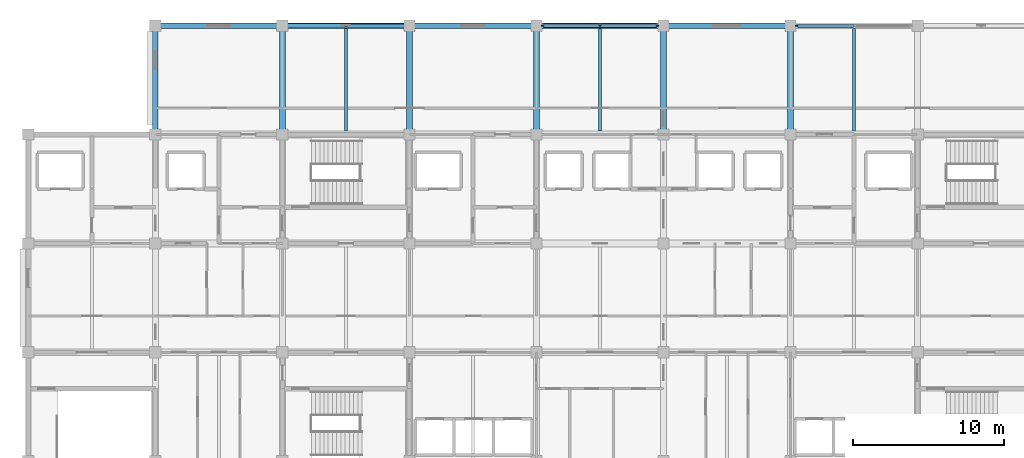
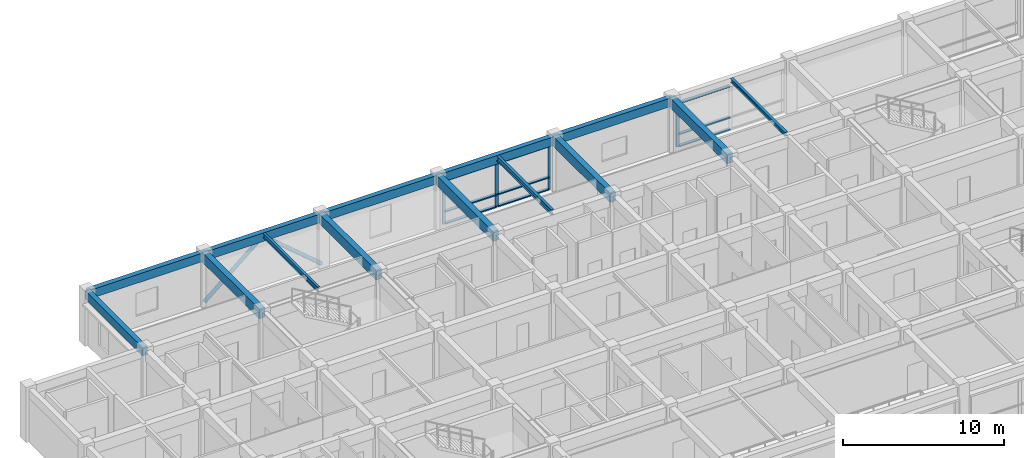
# One storey, part 5 of 23: 15 members, 14 beams, 2 elements without a shape of their own.
"""IFC4 building model written with IfcOpenShell, lengths in metres."""

from ifc_helpers import new_model, si_unit, direction, frame, origin, origin_2d, place, context, subcontext, project, spatial, rectangle, hollow_circle, i_section, extrude, material, layer, layer_set, material_profile, profile_set, type_object, element, aggregate, save


model = new_model("IFC4")

# Units and contexts
model_context = context("Model", 3, precision=1e-05, world=origin(), true_north=direction((0.0, 1.0)))
body_context = subcontext(model_context, "Body", "Model", "MODEL_VIEW")
ifc_project = project(units=[si_unit("LENGTHUNIT", "METRE"), si_unit("AREAUNIT", "SQUARE_METRE"), si_unit("VOLUMEUNIT", "CUBIC_METRE"), si_unit("PLANEANGLEUNIT", "RADIAN"), si_unit("MASSUNIT", "GRAM", prefix="KILO")], contexts=[model_context])

# Site, building, storey
site_placement = place(None, origin())
site = spatial("IfcSite", under=ifc_project, at=site_placement, CompositionType="ELEMENT")
building_placement = place(site_placement, origin())
building = spatial("IfcBuilding", under=site, at=building_placement, Name="Chengyuan Square Courthouse", CompositionType="ELEMENT")
storey_placement = place(building_placement, frame((0.0, 0.0, 43.5)))
storey = spatial("IfcBuildingStorey", under=building, at=storey_placement, Name="L10", CompositionType="ELEMENT", Elevation=43.5)

# Beams
ifc_material_1 = material(Name="Concrete C40", Category="concrete")
ifc_material_profile_1 = material_profile(ifc_material_1, rectangle(XDim=0.39990234375, YDim=0.75, at=origin_2d()), Name="RC-BM-400x750")
ifc_profile_set_1 = profile_set([ifc_material_profile_1], Name="Concrete C40")
beam_type_1 = type_object("IfcBeamType", Name="BM-02", PredefinedType="USERDEFINED", material=ifc_profile_set_1)
for number, where, z_axis, x_axis, name in (
    (1, (58.800048828125, 108.0, 3.625), (0.0, 1.0, 0.0), (-1.0, 0.0, 0.0), "Girder BM-L10-4097"),
    (2, (67.199951171875, 108.0, 3.625), (0.0, 1.0, 0.0), (-1.0, 0.0, 0.0), "Girder BM-L10-4102"),
    (3, (75.60009765625, 108.0, 3.625), (0.0, 1.0, 0.0), (-1.0, 0.0, 0.0), "Girder BM-L10-4107"),
    (4, (84.0, 108.0, 3.625), (0.0, 1.0, 0.0), (-1.0, 0.0, 0.0), "Girder BM-L10-4112"),
    (5, (92.39990234375, 108.0, 3.625), (0.0, 1.0, 0.0), (-1.0, 0.0, 0.0), "Girder BM-L10-4117"),
):
    element("IfcBeam", number, at=place(storey_placement, frame(where, z_axis=z_axis, x_axis=x_axis)), inside=storey, type_object=beam_type_1, Name=name, ObjectType="GIRDER", PredefinedType="USERDEFINED", context=body_context, shape_type="SweptSolid", body=[
        extrude(rectangle(XDim=0.39990234375, YDim=0.75, at=origin_2d()), origin(), (0.0, 0.0, 1.0), 7.199951171875),
    ])
ifc_material_profile_2 = material_profile(ifc_material_1, rectangle(XDim=0.35009765625, YDim=0.64990234375, at=origin_2d()), Name="RC-BM-350x650")
ifc_profile_set_2 = profile_set([ifc_material_profile_2], Name="Concrete C40")
beam_type_2 = type_object("IfcBeamType", Name="BM-03", PredefinedType="SPANDREL", material=ifc_profile_set_2)
beam_1_placement = place(storey_placement, frame((50.39990234375, 115.199951171875, 3.675048828125), z_axis=(1.0, 0.0, 0.0), x_axis=(0.0, 1.0, 0.0)))
element("IfcBeam", 6, at=beam_1_placement, inside=storey, type_object=beam_type_2, Name="Girder BM-L10-4076", PredefinedType="SPANDREL", context=body_context, shape_type="SweptSolid", body=[
    extrude(rectangle(XDim=0.35009765625, YDim=0.64990234375, at=origin_2d()), origin(), (0.0, 0.0, 1.0), 8.400146484375),
])
beam_2_placement = place(storey_placement, frame((58.800048828125, 115.199951171875, 3.675048828125), z_axis=(1.0, 0.0, 0.0), x_axis=(0.0, 1.0, 0.0)))
element("IfcBeam", 7, at=beam_2_placement, inside=storey, type_object=beam_type_2, Name="Girder BM-L10-4077", PredefinedType="SPANDREL", context=body_context, shape_type="SweptSolid", body=[
    extrude(rectangle(XDim=0.35009765625, YDim=0.64990234375, at=origin_2d()), origin(), (0.0, 0.0, 1.0), 8.39990234375),
])
beam_3_placement = place(storey_placement, frame((67.199951171875, 115.199951171875, 3.675048828125), z_axis=(1.0, 0.0, 0.0), x_axis=(0.0, 1.0, 0.0)))
element("IfcBeam", 8, at=beam_3_placement, inside=storey, type_object=beam_type_2, Name="Girder BM-L10-4078", PredefinedType="SPANDREL", context=body_context, shape_type="SweptSolid", body=[
    extrude(rectangle(XDim=0.35009765625, YDim=0.64990234375, at=origin_2d()), origin(), (0.0, 0.0, 1.0), 8.400146484375),
])
for number, where, z_axis, x_axis, name in (
    (9, (75.60009765625, 115.199951171875, 3.675048828125), (1.0, 0.0, 0.0), (0.0, 1.0, 0.0), "Girder BM-L10-4079"),
    (10, (84.0, 115.199951171875, 3.675048828125), (1.0, 0.0, 0.0), (0.0, 1.0, 0.0), "Girder BM-L10-4080"),
):
    element("IfcBeam", number, at=place(storey_placement, frame(where, z_axis=z_axis, x_axis=x_axis)), inside=storey, type_object=beam_type_2, Name=name, PredefinedType="SPANDREL", context=body_context, shape_type="SweptSolid", body=[
        extrude(rectangle(XDim=0.35009765625, YDim=0.64990234375, at=origin_2d()), origin(), (0.0, 0.0, 1.0), 8.39990234375),
    ])
beam_4_placement = place(storey_placement, frame((50.39990234375, 108.0, 3.675048828125), z_axis=(0.0, 1.0, 0.0), x_axis=(-1.0, 0.0, 0.0)))
element("IfcBeam", 11, at=beam_4_placement, inside=storey, type_object=beam_type_2, Name="Girder BM-L10-4092", PredefinedType="SPANDREL", context=body_context, shape_type="SweptSolid", body=[
    extrude(rectangle(XDim=0.35009765625, YDim=0.64990234375, at=origin_2d()), origin(), (0.0, 0.0, 1.0), 7.199951171875),
])
ifc_material_2 = material(Name="Steel Q355B", Category="steel")
ifc_material_profile_3 = material_profile(ifc_material_2, i_section(OverallWidth=0.199951171875, OverallDepth=0.39990234375, WebThickness=0.008056640625, FlangeThickness=0.012939453125, at=origin_2d()), Name="HN 400x200x8x13")
ifc_profile_set_3 = profile_set([ifc_material_profile_3], Name="Steel Q355B")
beam_type_3 = type_object("IfcBeamType", Name="BM-07", PredefinedType="BEAM", material=ifc_profile_set_3)
beam_5_placement = place(storey_placement, frame((79.800048828125, 108.22509765625, 3.800048828125), z_axis=(0.0, 1.0, 0.0), x_axis=(-1.0, 0.0, 0.0)))
element("IfcBeam", 12, at=beam_5_placement, inside=storey, type_object=beam_type_3, Name="Secondary Floor Beam SBM-L10-4148", PredefinedType="BEAM", context=body_context, shape_type="SweptSolid", body=[
    extrude(i_section(OverallWidth=0.199951171875, OverallDepth=0.39990234375, WebThickness=0.008056640625, FlangeThickness=0.012939453125, at=origin_2d()), origin(), (0.0, 0.0, 1.0), 6.7998046875),
])
ifc_material_profile_4 = material_profile(ifc_material_2, i_section(OverallWidth=0.175048828125, OverallDepth=0.35009765625, WebThickness=0.007080078125, FlangeThickness=0.010986328125, at=origin_2d()), Name="HN 350x175x7x11")
ifc_profile_set_4 = profile_set([ifc_material_profile_4], Name="Steel Q355B")
beam_type_4 = type_object("IfcBeamType", Name="BM-08", PredefinedType="BEAM", material=ifc_profile_set_4)
beam_6_placement = place(storey_placement, frame((63.0, 108.22509765625, 3.824951171875), z_axis=(0.0, 1.0, 0.0), x_axis=(-1.0, 0.0, 0.0)))
element("IfcBeam", 13, at=beam_6_placement, inside=storey, type_object=beam_type_4, Name="Secondary Floor Beam SBM-L10-4143", PredefinedType="BEAM", context=body_context, shape_type="SweptSolid", body=[
    extrude(i_section(OverallWidth=0.175048828125, OverallDepth=0.35009765625, WebThickness=0.007080078125, FlangeThickness=0.010986328125, at=origin_2d()), origin(), (0.0, 0.0, 1.0), 6.7998046875),
])
ifc_material_profile_5 = material_profile(ifc_material_2, i_section(OverallWidth=0.199951171875, OverallDepth=0.300048828125, WebThickness=0.008056640625, FlangeThickness=0.011962890625, at=origin_2d()), Name="HM 300x200x8x12")
ifc_profile_set_5 = profile_set([ifc_material_profile_5], Name="Steel Q355B")
beam_type_5 = type_object("IfcBeamType", Name="BM-09", PredefinedType="BEAM", material=ifc_profile_set_5)
beam_7_placement = place(storey_placement, frame((96.60009765625, 108.22509765625, 3.85009765625), z_axis=(0.0, 1.0, 0.0), x_axis=(-1.0, 0.0, 0.0)))
element("IfcBeam", 14, at=beam_7_placement, inside=storey, type_object=beam_type_5, Name="Secondary Floor Beam SBM-L10-4152", PredefinedType="BEAM", context=body_context, shape_type="SweptSolid", body=[
    extrude(i_section(OverallWidth=0.199951171875, OverallDepth=0.300048828125, WebThickness=0.008056640625, FlangeThickness=0.011962890625, at=origin_2d()), origin(), (0.0, 0.0, 1.0), 6.7998046875),
])

# Members
ifc_material_profile_6 = material_profile(ifc_material_2, hollow_circle(Radius=0.136474609375, WallThickness=0.010009765625, at=origin_2d()), Name="CHS 273x10")
ifc_profile_set_6 = profile_set([ifc_material_profile_6], Name="Steel Q355B")
member_type_1 = type_object("IfcMemberType", Name="BR-01", PredefinedType="BRACE", material=ifc_profile_set_6)
for number, where, z_axis, x_axis, name in (
    (15, (58.800048828125, 115.199951171875, 0.10009765625), (0.763744856955, 0.0, 0.645518236361), (0.0, 1.0, 0.0), "Steel Chevron Brace BR-L10-037"),
    (16, (67.199951171875, 115.199951171875, 0.10009765625), (-0.763744856955, 0.0, 0.645518236361), (0.0, -1.0, 0.0), "Steel Chevron Brace BR-L10-038"),
):
    element("IfcMember", number, at=place(storey_placement, frame(where, z_axis=z_axis, x_axis=x_axis)), inside=storey, type_object=member_type_1, Name=name, PredefinedType="BRACE", context=body_context, shape_type="SweptSolid", body=[
        extrude(hollow_circle(Radius=0.136474609375, WallThickness=0.010009765625, at=origin_2d()), origin(), (0.0, 0.0, 1.0), 5.499267578125),
    ])

# Curtain wall, members
ifc_material_3 = material(Name="Unitised Aluminium and Triple Low-E Glass", Category="aluminium")
ifc_layer = layer(ifc_material_3, 0.219970703125)
ifc_layer_set = layer_set([ifc_layer], Name="Unitised Aluminium and Triple Low-E Glass")
curtain_wall_type = type_object("IfcCurtainWallType", Name="CW-04", PredefinedType="USERDEFINED", material=ifc_layer_set)
curtain_wall_1_placement = place(storey_placement, origin())
curtain_wall_1 = element("IfcCurtainWall", 17, at=curtain_wall_1_placement, inside=storey, type_object=curtain_wall_type, Name="Unitised Curtain Wall CW-L10-252", ObjectType="UNITISED CURTAIN WALL", PredefinedType="USERDEFINED")
ifc_material_4 = material(Name="Aluminium 6063-T6 Frame", Category="aluminium")
ifc_material_profile_7 = material_profile(ifc_material_4, rectangle(XDim=0.080078125, YDim=0.219970703125, at=origin_2d()), Name="CW-MUL-80x220")
ifc_profile_set_7 = profile_set([ifc_material_profile_7], Name="Aluminium 6063-T6 Frame")
member_type_2 = type_object("IfcMemberType", Name="CWM-04", PredefinedType="MULLION", material=ifc_profile_set_7)
member_1_placement = place(storey_placement, frame((76.014892578125, 115.199951171875, 0.0), z_axis=(0.0, 0.0, 1.0), x_axis=(0.0, 1.0, 0.0)))
member_1 = element("IfcMember", 18, at=member_1_placement, type_object=member_type_2, Name="CW-04 mullion 1", PredefinedType="MULLION", context=body_context, shape_type="SweptSolid", body=[
    extrude(rectangle(XDim=0.080078125, YDim=0.219970703125, at=origin_2d()), origin(), (0.0, 0.0, 1.0), 3.35009765625),
])
member_2_placement = place(storey_placement, frame((79.800048828125, 115.199951171875, 0.0), z_axis=(0.0, 0.0, 1.0), x_axis=(0.0, 1.0, 0.0)))
member_2 = element("IfcMember", 19, at=member_2_placement, type_object=member_type_2, Name="CW-04 mullion 2", PredefinedType="MULLION", context=body_context, shape_type="SweptSolid", body=[
    extrude(rectangle(XDim=0.080078125, YDim=0.219970703125, at=origin_2d()), origin(), (0.0, 0.0, 1.0), 3.35009765625),
])
member_3_placement = place(storey_placement, frame((83.5849609375, 115.199951171875, 0.0), z_axis=(0.0, 0.0, 1.0), x_axis=(0.0, 1.0, 0.0)))
member_3 = element("IfcMember", 20, at=member_3_placement, type_object=member_type_2, Name="CW-04 mullion 3", PredefinedType="MULLION", context=body_context, shape_type="SweptSolid", body=[
    extrude(rectangle(XDim=0.080078125, YDim=0.219970703125, at=origin_2d()), origin(), (0.0, 0.0, 1.0), 3.35009765625),
])

# Curtain wall, member
curtain_wall_2_placement = place(storey_placement, origin())
curtain_wall_2 = element("IfcCurtainWall", 21, at=curtain_wall_2_placement, inside=storey, type_object=curtain_wall_type, Name="Unitised Curtain Wall CW-L10-255", ObjectType="UNITISED CURTAIN WALL", PredefinedType="USERDEFINED")
member_4_placement = place(storey_placement, frame((92.81494140625, 115.199951171875, 0.0), z_axis=(0.0, 0.0, 1.0), x_axis=(0.0, 1.0, 0.0)))
member_4 = element("IfcMember", 22, at=member_4_placement, type_object=member_type_2, Name="CW-04 mullion 1", PredefinedType="MULLION", context=body_context, shape_type="SweptSolid", body=[
    extrude(rectangle(XDim=0.080078125, YDim=0.219970703125, at=origin_2d()), origin(), (0.0, 0.0, 1.0), 3.35009765625),
])

# Member
ifc_material_profile_8 = material_profile(ifc_material_4, rectangle(XDim=0.219970703125, YDim=0.080078125, at=origin_2d()), Name="CW-TRN-80x180")
ifc_profile_set_8 = profile_set([ifc_material_profile_8], Name="Aluminium 6063-T6 Frame")
member_type_3 = type_object("IfcMemberType", Name="CWT-04", PredefinedType="USERDEFINED", material=ifc_profile_set_8)
member_5_placement = place(storey_placement, frame((76.054931640625, 115.199951171875, 0.0400390625), z_axis=(1.0, 0.0, 0.0), x_axis=(0.0, 1.0, 0.0)))
member_5 = element("IfcMember", 23, at=member_5_placement, type_object=member_type_3, Name="CW-04 transom 1.1", ObjectType="TRANSOM", PredefinedType="USERDEFINED", context=body_context, shape_type="SweptSolid", body=[
    extrude(rectangle(XDim=0.219970703125, YDim=0.080078125, at=origin_2d()), origin(), (0.0, 0.0, 1.0), 3.705078125),
])

member_6_placement = place(storey_placement, frame((76.054931640625, 115.199951171875, 0.949951171875), z_axis=(1.0, 0.0, 0.0), x_axis=(0.0, 1.0, 0.0)))
member_6 = element("IfcMember", 24, at=member_6_placement, type_object=member_type_3, Name="CW-04 transom 1.2", ObjectType="TRANSOM", PredefinedType="USERDEFINED", context=body_context, shape_type="SweptSolid", body=[
    extrude(rectangle(XDim=0.219970703125, YDim=0.080078125, at=origin_2d()), origin(), (0.0, 0.0, 1.0), 3.705078125),
])

member_7_placement = place(storey_placement, frame((76.054931640625, 115.199951171875, 3.31005859375), z_axis=(1.0, 0.0, 0.0), x_axis=(0.0, 1.0, 0.0)))
member_7 = element("IfcMember", 25, at=member_7_placement, type_object=member_type_3, Name="CW-04 transom 1.3", ObjectType="TRANSOM", PredefinedType="USERDEFINED", context=body_context, shape_type="SweptSolid", body=[
    extrude(rectangle(XDim=0.219970703125, YDim=0.080078125, at=origin_2d()), origin(), (0.0, 0.0, 1.0), 3.705078125),
])

member_8_placement = place(storey_placement, frame((79.840087890625, 115.199951171875, 0.0400390625), z_axis=(1.0, 0.0, 0.0), x_axis=(0.0, 1.0, 0.0)))
member_8 = element("IfcMember", 26, at=member_8_placement, type_object=member_type_3, Name="CW-04 transom 2.1", ObjectType="TRANSOM", PredefinedType="USERDEFINED", context=body_context, shape_type="SweptSolid", body=[
    extrude(rectangle(XDim=0.219970703125, YDim=0.080078125, at=origin_2d()), origin(), (0.0, 0.0, 1.0), 3.704833984375),
])

member_9_placement = place(storey_placement, frame((79.840087890625, 115.199951171875, 0.949951171875), z_axis=(1.0, 0.0, 0.0), x_axis=(0.0, 1.0, 0.0)))
member_9 = element("IfcMember", 27, at=member_9_placement, type_object=member_type_3, Name="CW-04 transom 2.2", ObjectType="TRANSOM", PredefinedType="USERDEFINED", context=body_context, shape_type="SweptSolid", body=[
    extrude(rectangle(XDim=0.219970703125, YDim=0.080078125, at=origin_2d()), origin(), (0.0, 0.0, 1.0), 3.704833984375),
])

member_10_placement = place(storey_placement, frame((79.840087890625, 115.199951171875, 3.31005859375), z_axis=(1.0, 0.0, 0.0), x_axis=(0.0, 1.0, 0.0)))
member_10 = element("IfcMember", 28, at=member_10_placement, type_object=member_type_3, Name="CW-04 transom 2.3", ObjectType="TRANSOM", PredefinedType="USERDEFINED", context=body_context, shape_type="SweptSolid", body=[
    extrude(rectangle(XDim=0.219970703125, YDim=0.080078125, at=origin_2d()), origin(), (0.0, 0.0, 1.0), 3.704833984375),
])

aggregate(curtain_wall_1, [member_1, member_2, member_3, member_5, member_6, member_7, member_8, member_9, member_10])

member_11_placement = place(storey_placement, frame((92.85498046875, 115.199951171875, 0.0400390625), z_axis=(1.0, 0.0, 0.0), x_axis=(0.0, 1.0, 0.0)))
member_11 = element("IfcMember", 29, at=member_11_placement, type_object=member_type_3, Name="CW-04 transom 1.1", ObjectType="TRANSOM", PredefinedType="USERDEFINED", context=body_context, shape_type="SweptSolid", body=[
    extrude(rectangle(XDim=0.219970703125, YDim=0.080078125, at=origin_2d()), origin(), (0.0, 0.0, 1.0), 3.705078125),
])

member_12_placement = place(storey_placement, frame((92.85498046875, 115.199951171875, 0.949951171875), z_axis=(1.0, 0.0, 0.0), x_axis=(0.0, 1.0, 0.0)))
member_12 = element("IfcMember", 30, at=member_12_placement, type_object=member_type_3, Name="CW-04 transom 1.2", ObjectType="TRANSOM", PredefinedType="USERDEFINED", context=body_context, shape_type="SweptSolid", body=[
    extrude(rectangle(XDim=0.219970703125, YDim=0.080078125, at=origin_2d()), origin(), (0.0, 0.0, 1.0), 3.705078125),
])

member_13_placement = place(storey_placement, frame((92.85498046875, 115.199951171875, 3.31005859375), z_axis=(1.0, 0.0, 0.0), x_axis=(0.0, 1.0, 0.0)))
member_13 = element("IfcMember", 31, at=member_13_placement, type_object=member_type_3, Name="CW-04 transom 1.3", ObjectType="TRANSOM", PredefinedType="USERDEFINED", context=body_context, shape_type="SweptSolid", body=[
    extrude(rectangle(XDim=0.219970703125, YDim=0.080078125, at=origin_2d()), origin(), (0.0, 0.0, 1.0), 3.705078125),
])

aggregate(curtain_wall_2, [member_4, member_11, member_12, member_13])

save(model, "model.ifc")
